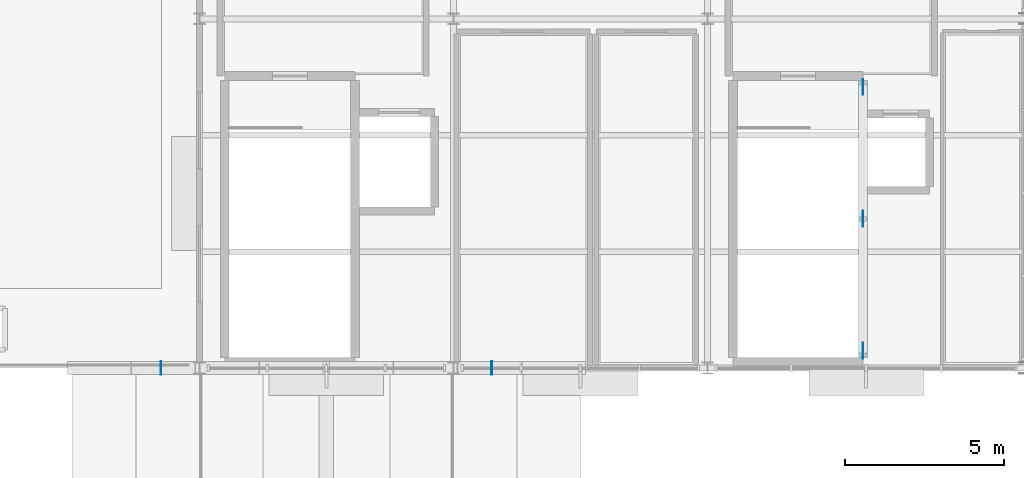
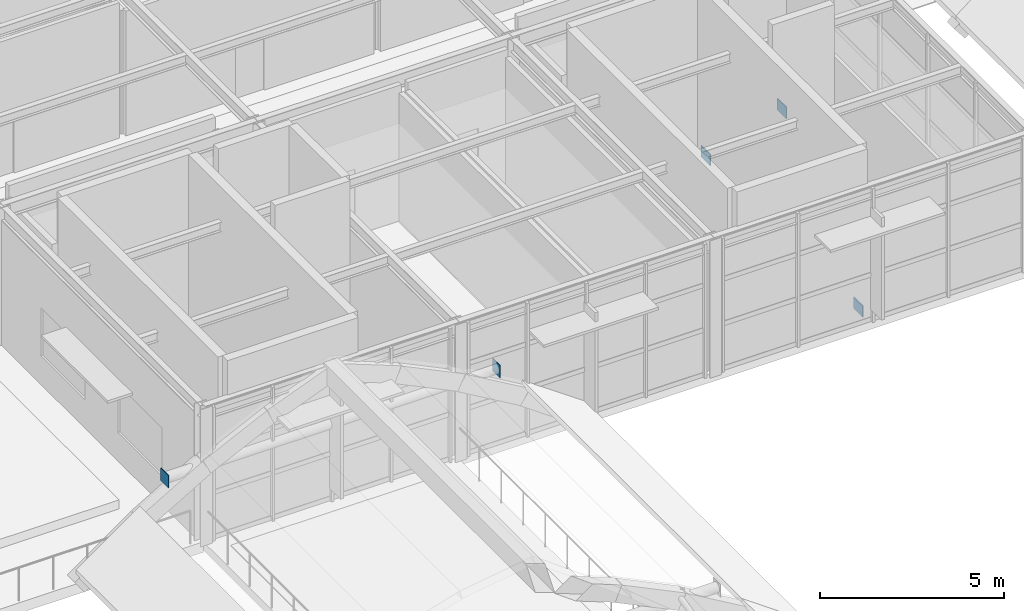
# One storey, part 59 of 82: 5 plates.
"""IFC4 building model written with IfcOpenShell, lengths in metres."""

from ifc_helpers import new_model, si_unit, direction, frame, origin, origin_2d, place, context, subcontext, project, spatial, rectangle, extrude, material, layer, layer_set, type_object, element, save


model = new_model("IFC4")

# Units and contexts
model_context = context("Model", 3, precision=1e-05, world=origin(), true_north=direction((0.0, 1.0)))
body_context = subcontext(model_context, "Body", "Model", "MODEL_VIEW")
ifc_project = project(units=[si_unit("LENGTHUNIT", "METRE"), si_unit("AREAUNIT", "SQUARE_METRE"), si_unit("VOLUMEUNIT", "CUBIC_METRE"), si_unit("PLANEANGLEUNIT", "RADIAN"), si_unit("MASSUNIT", "GRAM", prefix="KILO")], contexts=[model_context])

# Site, building, storey
site_placement = place(None, origin())
site = spatial("IfcSite", under=ifc_project, at=site_placement, CompositionType="ELEMENT")
building_placement = place(site_placement, origin())
building = spatial("IfcBuilding", under=site, at=building_placement, Name="Sitalva Quay Ferry Terminal", CompositionType="ELEMENT")
storey_placement = place(building_placement, frame((0.0, 0.0, 5.39990234375)))
storey = spatial("IfcBuildingStorey", under=building, at=storey_placement, Name="L02", CompositionType="ELEMENT", Elevation=5.39990234375)

# Plates
ifc_material_1 = material(Name="Structural Steel S355JR", Category="steel")
ifc_layer_1 = layer(ifc_material_1, 0.02197265625)
ifc_layer_set_1 = layer_set([ifc_layer_1], Name="Structural Steel S355JR")
plate_type_1 = type_object("IfcPlateType", Name="Gusset_420x420x22", PredefinedType="USERDEFINED", material=ifc_layer_set_1)
for number, where, z_axis, x_axis, name in (
    (1, (14.7890625, 78.0, 2.340087890625), (0.0, 0.0, 1.0), (1.0, 0.0, 0.0), "Vault V2 collar tie 7 west end plate"),
    (2, (25.2109375, 78.0, 2.340087890625), (0.0, 0.0, 1.0), (1.0, 0.0, 0.0), "Vault V2 collar tie 7 east end plate"),
):
    element("IfcPlate", number, at=place(storey_placement, frame(where, z_axis=z_axis, x_axis=x_axis)), inside=storey, type_object=plate_type_1, Name=name, ObjectType="FLANGE_PLATE", PredefinedType="USERDEFINED", context=body_context, shape_type="SweptSolid", body=[
        extrude(rectangle(XDim=0.02197265625, YDim=0.419921875, at=origin_2d()), origin(), (0.0, 0.0, 1.0), 0.419921875),
    ])
ifc_material_2 = material(Name="Structural Steel S355JR", Category="steel")
ifc_layer_2 = layer(ifc_material_2, 0.028076171875)
ifc_layer_set_2 = layer_set([ifc_layer_2], Name="Structural Steel S355JR")
plate_type_2 = type_object("IfcPlateType", Name="Gusset_500x380x28", PredefinedType="USERDEFINED", material=ifc_layer_set_2)
for number, where, z_axis, x_axis, name in (
    (3, (36.89990234375, 82.699951171875, 4.0400390625), (0.0, 0.0, 1.0), (1.0, 0.0, 0.0), "Braced frame BF1 L02 APEX gusset"),
    (4, (36.89990234375, 78.550048828125, -0.039794921875), (0.0, 0.0, 1.0), (1.0, 0.0, 0.0), "Braced frame BF1 L02 BASE-A gusset"),
    (5, (36.89990234375, 86.85009765625, -0.039794921875), (0.0, 0.0, 1.0), (1.0, 0.0, 0.0), "Braced frame BF1 L02 BASE-B gusset"),
):
    element("IfcPlate", number, at=place(storey_placement, frame(where, z_axis=z_axis, x_axis=x_axis)), inside=storey, type_object=plate_type_2, Name=name, ObjectType="FLANGE_PLATE", PredefinedType="USERDEFINED", context=body_context, shape_type="SweptSolid", body=[
        extrude(rectangle(XDim=0.028076171875, YDim=0.5, at=origin_2d()), origin(), (0.0, 0.0, 1.0), 0.3798828125),
    ])

save(model, "model.ifc")
